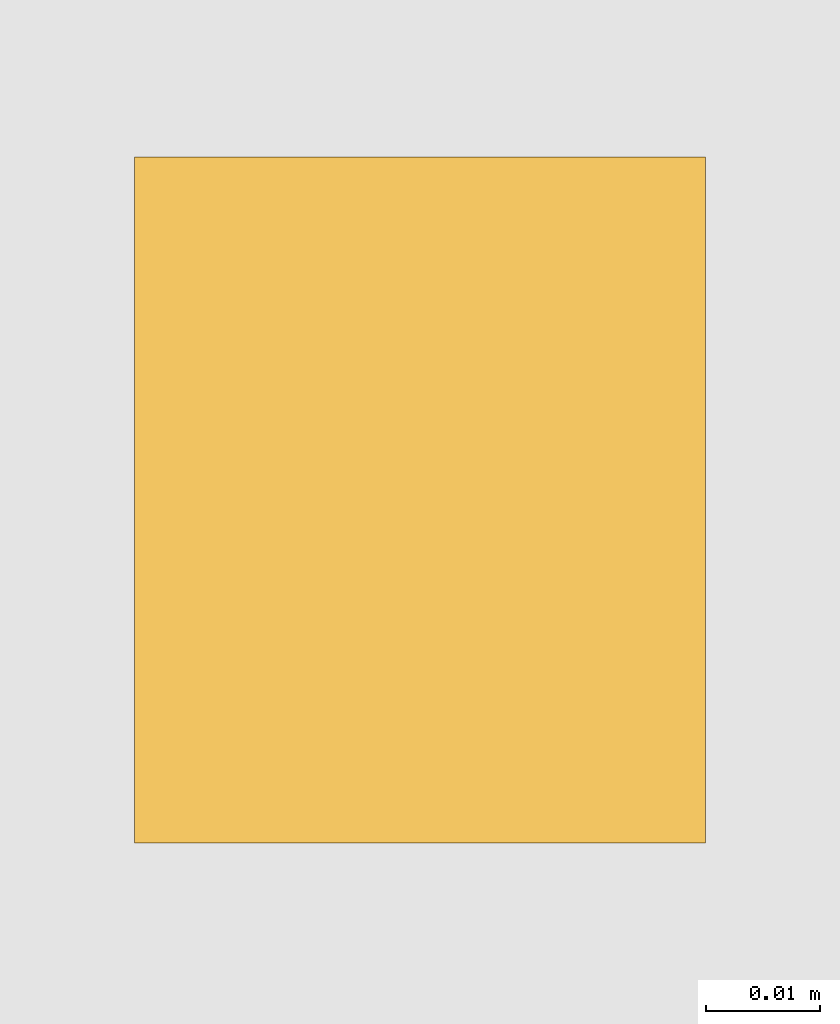
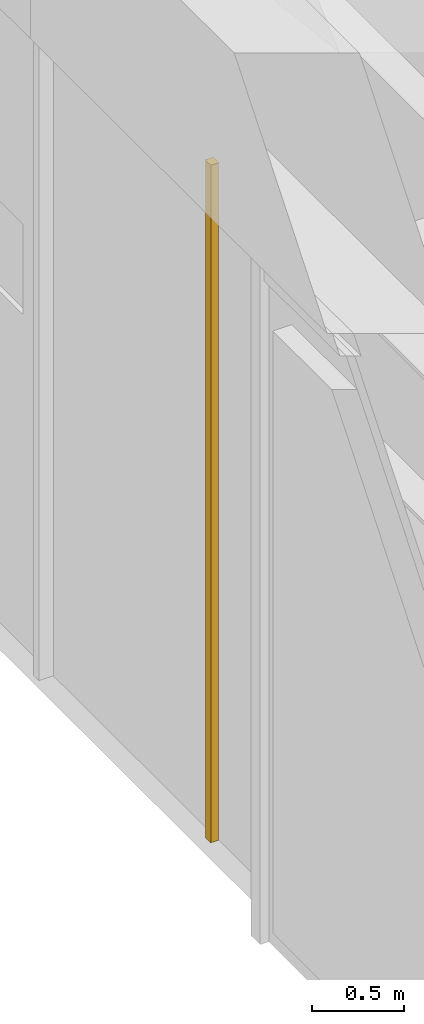
# One storey, part 16 of 38: 1 covering.
"""IFC4 building model written with IfcOpenShell, lengths in metres."""

import ifcopenshell
import ifcopenshell.guid

model = None  # the IFC model being written
_history = None  # IfcOwnerHistory: only IFC2X3 demands one
_inside = {}  # id of a spatial element -> (the spatial element, [elements in it])
_under = {}  # id of a project, library or spatial element -> (it, [spatial elements below it])
_declared = {}  # id of a project -> (the project, [libraries it declares])
_typed = {}  # id of a type object -> (the type object, [elements of that type])
_made_of = {}  # id of a material, layer set ... -> (it, [elements and type objects made of it])


def new_model(schema):
    """Start an empty IFC model of exactly this schema.

    Asked for "IFC4X3", IfcOpenShell would pick the latest addendum, in which some entities
    have other attributes; the version numbers below select the first issue.
    IFC2X3 requires an IfcOwnerHistory on every rooted entity: one is made here for all.
    """
    global model, _history
    if schema == "IFC4X3":
        model = ifcopenshell.file(schema_version=(4, 3, 0, 0))
    else:
        model = ifcopenshell.file(schema=schema)
    _inside.clear()
    _under.clear()
    _declared.clear()
    _typed.clear()
    _made_of.clear()
    _history = None
    if model.schema == "IFC2X3":
        org = make("IfcOrganization", Name="unknown")
        user = make(
            "IfcPersonAndOrganization",
            ThePerson=make("IfcPerson", FamilyName="unknown"),
            TheOrganization=org,
        )
        app = make(
            "IfcApplication",
            ApplicationDeveloper=org,
            Version="unknown",
            ApplicationFullName="unknown",
            ApplicationIdentifier="unknown",
        )
        _history = make(
            "IfcOwnerHistory",
            OwningUser=user,
            OwningApplication=app,
            ChangeAction="ADDED",
            CreationDate=0,
        )
    return model


def make(cls, **values):
    """One entity of the class cls with the attributes given. An attribute that is None is left unset."""
    return model.create_entity(
        cls, **{name: value for name, value in values.items() if value is not None}
    )


def rooted(cls, **values):
    """An entity with a GlobalId (a new one), such as an element, a storey or a relation."""
    return make(cls, GlobalId=ifcopenshell.guid.new(), OwnerHistory=_history, **values)


def si_unit(unit_type, name, prefix=None):
    """IfcSIUnit, for example si_unit("LENGTHUNIT", "METRE", prefix="MILLI")."""
    return make("IfcSIUnit", UnitType=unit_type, Prefix=prefix, Name=name)


def assignment(units):
    """IfcUnitAssignment: the units of a project."""
    return None if units is None else make("IfcUnitAssignment", Units=units)


def point(xyz):
    """IfcCartesianPoint."""
    return None if xyz is None else make("IfcCartesianPoint", Coordinates=xyz)


def direction(xyz):
    """IfcDirection."""
    return None if xyz is None else make("IfcDirection", DirectionRatios=xyz)


def frame(location, z_axis=None, x_axis=None):
    """IfcAxis2Placement3D, a coordinate frame: its origin and axes. An axis left out is left unset."""
    return make(
        "IfcAxis2Placement3D",
        Location=point(location),
        Axis=direction(z_axis),
        RefDirection=direction(x_axis),
    )


def frame_2d(location, x_axis=None):
    """IfcAxis2Placement2D, a coordinate frame in the plane: its origin and x axis."""
    return make(
        "IfcAxis2Placement2D", Location=point(location), RefDirection=direction(x_axis)
    )


def origin():
    """The frame at (0, 0, 0) with its axes left unset."""
    return frame((0.0, 0.0, 0.0))


def origin_2d():
    """The frame at (0, 0) in the plane with its x axis left unset."""
    return frame_2d((0.0, 0.0))


def place(relative_to, where):
    """IfcLocalPlacement: puts the frame where relative to a parent placement (None: the world)."""
    return make(
        "IfcLocalPlacement", PlacementRelTo=relative_to, RelativePlacement=where
    )


def context(
    kind, dimensions, precision=None, world=None, true_north=None, identifier=None
):
    """IfcGeometricRepresentationContext, for example the 3D "Model" context."""
    return make(
        "IfcGeometricRepresentationContext",
        ContextIdentifier=identifier,
        ContextType=kind,
        CoordinateSpaceDimension=dimensions,
        Precision=precision,
        WorldCoordinateSystem=world,
        TrueNorth=true_north,
    )


def subcontext(parent, identifier, kind, view, scale=None):
    """IfcGeometricRepresentationSubContext, for example "Body" below "Model"."""
    return make(
        "IfcGeometricRepresentationSubContext",
        ContextIdentifier=identifier,
        ContextType=kind,
        ParentContext=parent,
        TargetScale=scale,
        TargetView=view,
    )


def project(units=None, contexts=None):
    """IfcProject with its units and contexts."""
    return rooted(
        "IfcProject",
        Name="project",
        RepresentationContexts=contexts,
        UnitsInContext=assignment(units),
    )


def spatial(cls, under=None, at=None, **own):
    """A site, building, storey or space (cls), placed at a placement, below another one or the project."""
    s = rooted(cls, ObjectPlacement=at, **own)
    if under is not None:
        _under.setdefault(under.id(), (under, []))[1].append(s)
    return s


def profile(cls, at=None, kind="AREA", **sizes):
    """A parametric profile (cls). Its sizes go by their IFC names, for example OverallWidth=200.0."""
    return make(cls, ProfileType=kind, Position=at, **sizes)


def rectangle(**sizes):
    """IfcRectangleProfileDef."""
    return profile("IfcRectangleProfileDef", **sizes)


def extrude(swept, where, along, depth):
    """IfcExtrudedAreaSolid: the profile swept, set in the frame where, extruded along a direction by depth."""
    return make(
        "IfcExtrudedAreaSolid",
        SweptArea=swept,
        Position=where,
        ExtrudedDirection=direction(along),
        Depth=depth,
    )


def shape(context_of_items, identifier, shape_type, items):
    """IfcShapeRepresentation: the items that make up one representation, for example the "Body"."""
    return make(
        "IfcShapeRepresentation",
        ContextOfItems=context_of_items,
        RepresentationIdentifier=identifier,
        RepresentationType=shape_type,
        Items=items,
    )


def material(Name=None, Category=None):
    """IfcMaterial."""
    return make("IfcMaterial", Name=Name, Category=Category)


def made_of(thing, what):
    """Note that an element or type object is made of a material, layer set ...; save() writes the relation."""
    if what is not None:
        _made_of.setdefault(what.id(), (what, []))[1].append(thing)
    return thing


def type_object(cls, material=None, **own):
    """A type object (cls), such as IfcWallType, which elements share."""
    return made_of(rooted(cls, **own), material)


def element(
    cls,
    number,
    at=None,
    inside=None,
    cuts=None,
    type_object=None,
    material=None,
    context=None,
    identifier="Body",
    shape_type=None,
    held_by="IfcProductDefinitionShape",
    body=None,
    shapes=None,
    **own,
):
    """One element of the class cls, such as IfcWall. Its Tag is "e" and its number.

    at: its placement. inside: the storey or other place that contains it. cuts: it is an
    opening in that element (IfcRelVoidsElement). A single representation is given by context,
    identifier, shape_type and body (its items); several are given by shapes. held_by: the class
    of the entity that holds the representations. save() writes the other relations.
    """
    e = rooted(cls, Tag="e%d" % number, ObjectPlacement=at, **own)
    if body is not None:
        shapes = [shape(context, identifier, shape_type, body)]
    if shapes is not None:
        e.Representation = make(held_by, Representations=shapes)
    if inside is not None:
        _inside.setdefault(inside.id(), (inside, []))[1].append(e)
    if cuts is not None:
        rooted(
            "IfcRelVoidsElement", RelatingBuildingElement=cuts, RelatedOpeningElement=e
        )
    if type_object is not None:
        _typed.setdefault(type_object.id(), (type_object, []))[1].append(e)
    return made_of(e, material)


def aggregate(whole, parts):
    """IfcRelAggregates: a whole, such as a stair, and the parts it consists of."""
    return rooted("IfcRelAggregates", RelatingObject=whole, RelatedObjects=parts)


def save(model, path):
    """Write the relations noted so far, then the file.

    IfcRelAggregates (storeys below a building ...), IfcRelContainedInSpatialStructure (elements
    in a storey), IfcRelDefinesByType, IfcRelAssociatesMaterial and IfcRelDeclares: one each for
    every whole, place, type object, material and project.
    """
    for whole, parts in _under.values():
        aggregate(whole, parts)
    for where, things in _inside.values():
        rooted(
            "IfcRelContainedInSpatialStructure",
            RelatedElements=things,
            RelatingStructure=where,
        )
    for kind, things in _typed.values():
        rooted("IfcRelDefinesByType", RelatedObjects=things, RelatingType=kind)
    for what, things in _made_of.values():
        rooted("IfcRelAssociatesMaterial", RelatedObjects=things, RelatingMaterial=what)
    for by, libraries in _declared.values():
        rooted("IfcRelDeclares", RelatingContext=by, RelatedDefinitions=libraries)
    model.write(path)


model = new_model("IFC4")

# Units and contexts
model_context = context("Model", 3, precision=1e-05, world=origin(), true_north=direction((0.0, 1.0)))
body_context = subcontext(model_context, "Body", "Model", "MODEL_VIEW")
ifc_project = project(units=[si_unit("LENGTHUNIT", "METRE"), si_unit("AREAUNIT", "SQUARE_METRE"), si_unit("VOLUMEUNIT", "CUBIC_METRE"), si_unit("PLANEANGLEUNIT", "RADIAN"), si_unit("MASSUNIT", "GRAM", prefix="KILO")], contexts=[model_context])

# Site, building, storey
site_placement = place(None, origin())
site = spatial("IfcSite", under=ifc_project, at=site_placement, CompositionType="ELEMENT")
building_placement = place(site_placement, origin())
building = spatial("IfcBuilding", under=site, at=building_placement, Name="Cobrizo Arcos Hotel Tower", CompositionType="ELEMENT")
storey_placement = place(building_placement, frame((0.0, 0.0, 138.0)))
storey = spatial("IfcBuildingStorey", under=building, at=storey_placement, Name="L35", CompositionType="ELEMENT", Elevation=138.0)

# Covering
ifc_material = material(Name="Aluminium 6063-T6 anodised pale", Category="aluminium")
covering_type = type_object("IfcCoveringType", Name="RS-2 rainscreen rib 60x50", PredefinedType="CLADDING", material=ifc_material)
covering_placement = place(storey_placement, frame((-23.125, -9.89990234375, 0.0), z_axis=(0.0, 0.0, 1.0), x_axis=(0.0, -1.0, 0.0)))
element("IfcCovering", 1, at=covering_placement, inside=storey, type_object=covering_type, Name="Rainscreen rib 60", PredefinedType="CLADDING", context=body_context, shape_type="SweptSolid", body=[
    extrude(rectangle(XDim=0.06005859375, YDim=0.050048828125, at=origin_2d()), origin(), (0.0, 0.0, 1.0), 4.5),
])

save(model, "model.ifc")
